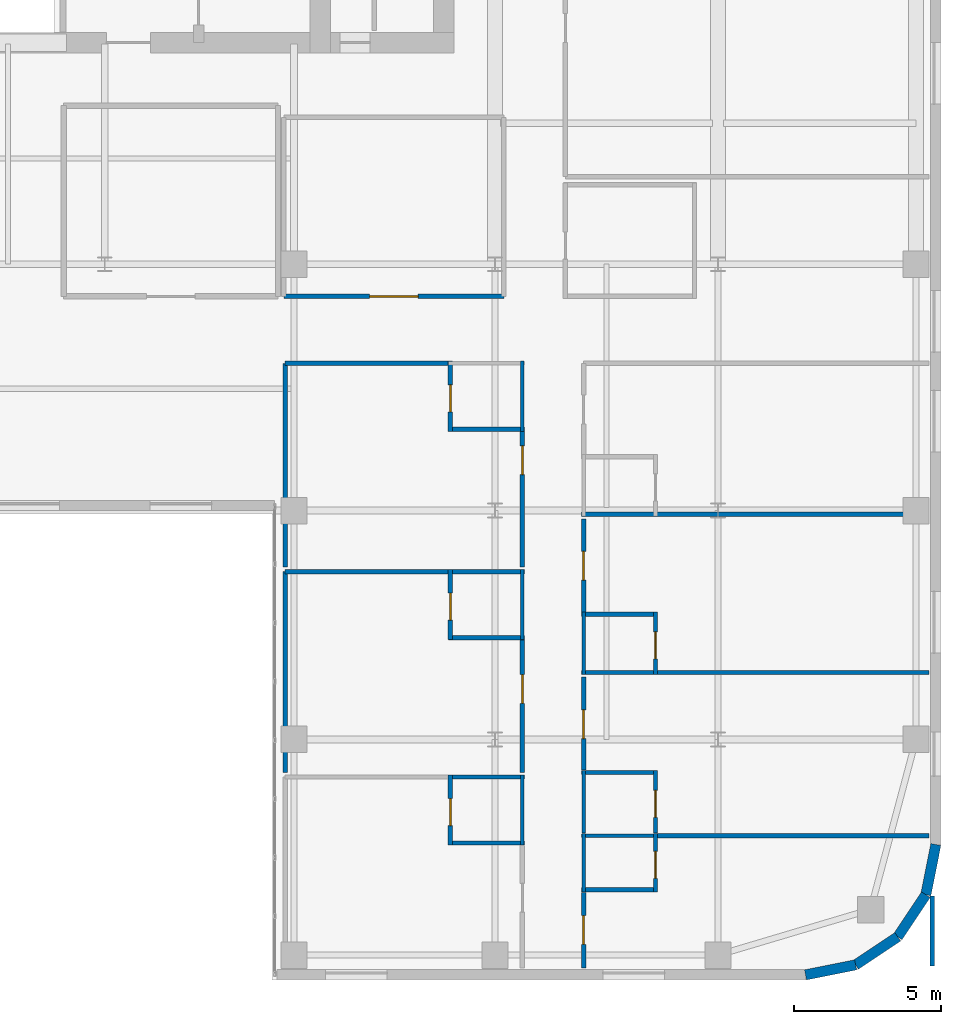
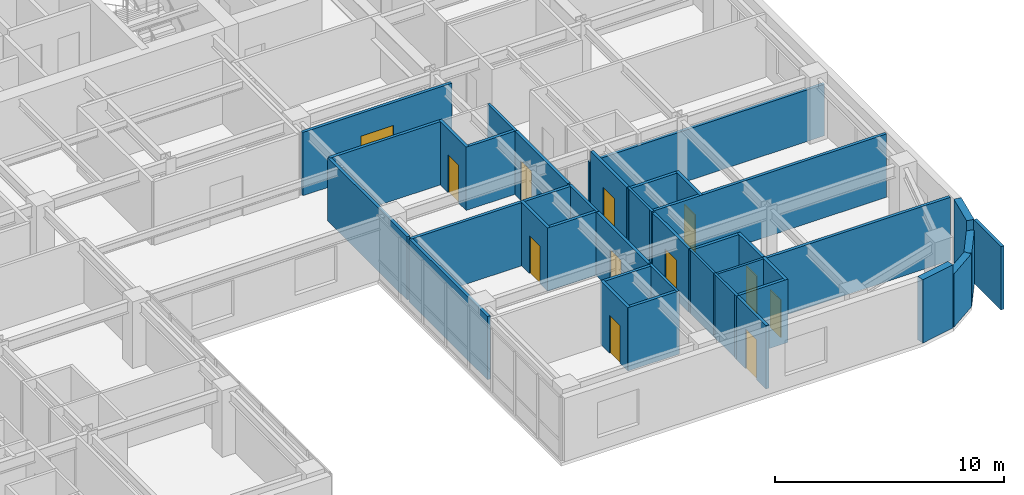
# One storey, part 12 of 17: 39 walls, 12 doors, 12 openings.
"""IFC4 building model written with IfcOpenShell, lengths in metres."""

from ifc_helpers import new_model, si_unit, direction, frame, frame_2d, origin, place, context, subcontext, project, spatial, rectangle, extrude, source, transform, mapped, material, layer, layer_set, type_object, type_shapes, element, fill, save


model = new_model("IFC4")

# Units and contexts
model_context = context("Model", 3, precision=1e-05, world=origin(), true_north=direction((0.0, 1.0)))
body_context = subcontext(model_context, "Body", "Model", "MODEL_VIEW")
ifc_project = project(units=[si_unit("LENGTHUNIT", "METRE"), si_unit("AREAUNIT", "SQUARE_METRE"), si_unit("VOLUMEUNIT", "CUBIC_METRE"), si_unit("PLANEANGLEUNIT", "RADIAN"), si_unit("MASSUNIT", "GRAM", prefix="KILO")], contexts=[model_context])

# Site, building, storey
site_placement = place(None, origin())
site = spatial("IfcSite", under=ifc_project, at=site_placement, CompositionType="ELEMENT")
building_placement = place(site_placement, origin())
building = spatial("IfcBuilding", under=site, at=building_placement, Name="Tolvann Quenvar Hotel", CompositionType="ELEMENT")
storey_placement = place(building_placement, frame((0.0, 0.0, 108.0)))
storey = spatial("IfcBuildingStorey", under=building, at=storey_placement, Name="L27", CompositionType="ELEMENT", Elevation=108.0)

# Walls
ifc_material_1 = material(Name="Kiln-fired red and buff architectural clay brickwork and terracotta masonry", Category="masonry")
ifc_layer_1 = layer(ifc_material_1, 0.35009765625)
ifc_layer_set_1 = layer_set([ifc_layer_1], Name="Kiln-fired red and buff architectural clay brickwork and terracotta masonry")
wall_type_1 = type_object("IfcWallType", Name="WALL_EXT_BRICK_350", PredefinedType="SOLIDWALL", material=ifc_layer_set_1)
wall_1_placement = place(storey_placement, frame((52.3828125, 0.175048828125, 0.0), z_axis=(0.0, 0.0, 1.0), x_axis=(0.980800971659, 0.195011420161, 0.0)))
element("IfcWall", 1, at=wall_1_placement, inside=storey, type_object=wall_type_1, Name="Exterior Chicago Brick Wall L27-E09", PredefinedType="SOLIDWALL", context=body_context, shape_type="SweptSolid", body=[
    extrude(rectangle(XDim=1.74267578125, YDim=0.35009765625, at=frame_2d((0.871337890625, 0.0))), origin(), (0.0, 0.0, 1.0), 3.3701171875),
])
for number, where, z_axis, x_axis, name in (
    (2, (54.092041015625, 0.514892578125, 0.0), (0.0, 0.0, 1.0), (0.831483840845, 0.55554893791, 0.0), "Exterior Chicago Brick Wall L27-E10"),
    (3, (55.526611328125, 1.473388671875, 0.0), (0.0, 0.0, 1.0), (0.55554893791, 0.831483840845, 0.0), "Exterior Chicago Brick Wall L27-E11"),
):
    element("IfcWall", number, at=place(storey_placement, frame(where, z_axis=z_axis, x_axis=x_axis)), inside=storey, type_object=wall_type_1, Name=name, PredefinedType="SOLIDWALL", context=body_context, shape_type="SweptSolid", body=[
        extrude(rectangle(XDim=1.725341796875, YDim=0.35009765625, at=frame_2d((0.86279296875, 0.0))), origin(), (0.0, 0.0, 1.0), 2.83203125),
    ])
wall_2_placement = place(storey_placement, frame((56.485107421875, 2.907958984375, 0.0), z_axis=(0.0, 0.0, 1.0), x_axis=(0.195011420161, 0.980800971659, 0.0)))
element("IfcWall", 4, at=wall_2_placement, inside=storey, type_object=wall_type_1, Name="Exterior Chicago Brick Wall L27-E12", PredefinedType="SOLIDWALL", context=body_context, shape_type="SweptSolid", body=[
    extrude(rectangle(XDim=1.74267578125, YDim=0.35009765625, at=frame_2d((0.871337890625, 0.0))), origin(), (0.0, 0.0, 1.0), 3.3701171875),
])
ifc_material_2 = material(Name="Moisture-resistant acoustic plumbing wall assembly")
ifc_layer_2 = layer(ifc_material_2, 0.1201171875)
ifc_layer_set_2 = layer_set([ifc_layer_2], Name="Moisture-resistant acoustic plumbing wall assembly")
wall_type_2 = type_object("IfcWallType", Name="WALL_PART_BATH_120", PredefinedType="PLUMBINGWALL", material=ifc_layer_set_2)
for number, where, z_axis, x_axis, name in (
    (5, (42.72998046875, 4.60009765625, 0.0), (0.0, 0.0, 1.0), (0.0, 1.0, 0.0), "Non-Rated Plumbing Partition PT-SPC-L27-ENS-EI01-E"),
    (6, (42.72998046875, 11.60009765625, 0.0), (0.0, 0.0, 1.0), (0.0, 1.0, 0.0), "Non-Rated Plumbing Partition PT-SPC-L27-ENS-EI02-E"),
):
    element("IfcWall", number, at=place(storey_placement, frame(where, z_axis=z_axis, x_axis=x_axis)), inside=storey, type_object=wall_type_2, Name=name, PredefinedType="PLUMBINGWALL", context=body_context, shape_type="SweptSolid", body=[
        extrude(rectangle(XDim=2.389892578125, YDim=0.1201171875, at=frame_2d((1.19482421875, 0.0))), origin(), (0.0, 0.0, 1.0), 3.3701171875),
    ])
wall_3_placement = place(storey_placement, frame((42.72998046875, 18.699951171875, 0.0), z_axis=(0.0, 0.0, 1.0), x_axis=(0.0, 1.0, 0.0)))
element("IfcWall", 7, at=wall_3_placement, inside=storey, type_object=wall_type_2, Name="Non-Rated Plumbing Partition PT-SPC-L27-ENS-EI03-E", PredefinedType="PLUMBINGWALL", context=body_context, shape_type="SweptSolid", body=[
    extrude(rectangle(XDim=2.39013671875, YDim=0.1201171875, at=frame_2d((1.195068359375, 0.0))), origin(), (0.0, 0.0, 1.0), 3.3701171875),
])
wall_4_placement = place(storey_placement, frame((44.75, 4.919921875, 0.0), z_axis=(0.0, 0.0, 1.0), x_axis=(1.0, 0.0, 0.0)))
element("IfcWall", 8, at=wall_4_placement, inside=storey, type_object=wall_type_2, Name="Non-Rated Plumbing Partition PT-SPC-L27-ENS-EO01-N", PredefinedType="PLUMBINGWALL", context=body_context, shape_type="SweptSolid", body=[
    extrude(rectangle(XDim=2.590087890625, YDim=0.1201171875, at=frame_2d((1.294921875, 0.0))), origin(), (0.0, 0.0, 1.0), 3.3701171875),
])
wall_5_placement = place(storey_placement, frame((44.820068359375, 3.0, 0.0), z_axis=(0.0, 0.0, 1.0), x_axis=(0.0, 1.0, 0.0)))
element("IfcWall", 9, at=wall_5_placement, inside=storey, type_object=wall_type_2, Name="Non-Rated Plumbing Partition PT-SPC-L27-ENS-EO01-W", PredefinedType="PLUMBINGWALL", context=body_context, shape_type="SweptSolid", body=[
    extrude(rectangle(XDim=1.989990234375, YDim=0.1201171875, at=frame_2d((0.9951171875, 0.0))), origin(), (0.0, 0.0, 1.0), 3.3701171875),
])
for number, where, z_axis, x_axis, name in (
    (10, (44.820068359375, 5.010009765625, 0.0), (0.0, 0.0, 1.0), (0.0, 1.0, 0.0), "Non-Rated Plumbing Partition PT-SPC-L27-ENS-EO02-W"),
    (11, (44.820068359375, 10.409912109375, 0.0), (0.0, 0.0, 1.0), (0.0, 1.0, 0.0), "Non-Rated Plumbing Partition PT-SPC-L27-ENS-EO03-W"),
):
    element("IfcWall", number, at=place(storey_placement, frame(where, z_axis=z_axis, x_axis=x_axis)), inside=storey, type_object=wall_type_2, Name=name, PredefinedType="PLUMBINGWALL", context=body_context, shape_type="SweptSolid", body=[
        extrude(rectangle(XDim=2.131103515625, YDim=0.1201171875, at=frame_2d((1.0654296875, 0.0))), origin(), (0.0, 0.0, 1.0), 3.3701171875),
    ])

# Wall, opening, door
ifc_material_3 = material(Name="Acoustic twin-stud fire-rated gypsum plasterboard partition")
ifc_layer_3 = layer(ifc_material_3, 0.14990234375)
ifc_layer_set_3 = layer_set([ifc_layer_3], Name="Acoustic twin-stud fire-rated gypsum plasterboard partition")
wall_type_3 = type_object("IfcWallType", Name="WALL_PART_SUITE_150", PredefinedType="PARTITIONING", material=ifc_layer_set_3)
wall_6_placement = place(storey_placement, frame((40.280029296875, 4.60009765625, 0.0), z_axis=(0.0, 0.0, 1.0), x_axis=(0.0, 1.0, 0.0)))
wall_6 = element("IfcWall", 12, at=wall_6_placement, inside=storey, type_object=wall_type_3, Name="Interior Partition PT-SPC-L27-ENS-EI01-ENT", PredefinedType="PARTITIONING", context=body_context, shape_type="SweptSolid", body=[
    extrude(rectangle(XDim=2.389892578125, YDim=0.14990234375, at=frame_2d((1.19482421875, 0.0))), origin(), (0.0, 0.0, 1.0), 3.3701171875),
])
opening_1_placement = place(wall_6_placement, frame((0.6650390625, 0.0, 0.0)))
opening_1 = element("IfcOpeningElement", 13, at=opening_1_placement, cuts=wall_6, Name="Opening WD-01", PredefinedType="OPENING", context=body_context, shape_type="SweptSolid", body=[
    extrude(rectangle(XDim=0.919921875, YDim=2.010009765625, at=frame_2d((0.4599609375, 1.0048828125))), frame((0.0, 0.0849609375, 0.0), z_axis=(0.0, -1.0, 0.0), x_axis=(1.0, 0.0, 0.0)), (0.0, 0.0, 1.0), 0.169921875),
])
ifc_material_4 = material(Name="Solid-core American oak acoustic fire door leaf in steel frame", Category="steel")
door_type_1 = type_object("IfcDoorType", Name="DOOR_WC_920", OperationType="NOTDEFINED", PredefinedType="DOOR", material=ifc_material_4)
shared_shape_1 = source(origin(), body_context, "Body", "SweptSolid", [
    extrude(rectangle(XDim=0.919921875, YDim=2.010009765625, at=frame_2d((0.4599609375, 1.0048828125))), frame((0.0, 0.02490234375, 0.0), z_axis=(0.0, -1.0, 0.0), x_axis=(1.0, 0.0, 0.0)), (0.0, 0.0, 1.0), 0.050048828125),
])
type_shapes(door_type_1, [shared_shape_1])
door_1_placement = place(opening_1_placement, origin())
door_1 = element("IfcDoor", 14, at=door_1_placement, inside=storey, type_object=door_type_1, Name="Interior Door DOOR-SPC-L27-ENS-EI01", OperationType="SINGLE_SWING_LEFT", OverallHeight=2.010009765625, OverallWidth=0.919921875, PredefinedType="DOOR", context=body_context, shape_type="MappedRepresentation", body=[
    mapped(shared_shape_1, transform((0.0, 0.0, 0.0), x_axis=(1.0, 0.0, 0.0), y_axis=(0.0, 1.0, 0.0), z_axis=(0.0, 0.0, 1.0), scale=1.0)),
])
fill(opening_1, door_1)

# Walls
for number, where, z_axis, x_axis, name in (
    (15, (40.2099609375, 4.669921875, 0.0), (0.0, 0.0, 1.0), (1.0, 0.0, 0.0), "Interior Partition PT-SPC-L27-ENS-EI01-S"),
    (16, (40.2099609375, 6.919921875, 0.0), (0.0, 0.0, 1.0), (1.0, 0.0, 0.0), "Interior Partition PT-SPC-L27-ENS-EI01-N"),
):
    element("IfcWall", number, at=place(storey_placement, frame(where, z_axis=z_axis, x_axis=x_axis)), inside=storey, type_object=wall_type_3, Name=name, PredefinedType="PARTITIONING", context=body_context, shape_type="SweptSolid", body=[
        extrude(rectangle(XDim=2.590087890625, YDim=0.14990234375, at=frame_2d((1.294921875, 0.0))), origin(), (0.0, 0.0, 1.0), 3.3701171875),
    ])

# Wall, opening, door
wall_7_placement = place(storey_placement, frame((40.280029296875, 11.60009765625, 0.0), z_axis=(0.0, 0.0, 1.0), x_axis=(0.0, 1.0, 0.0)))
wall_7 = element("IfcWall", 17, at=wall_7_placement, inside=storey, type_object=wall_type_3, Name="Interior Partition PT-SPC-L27-ENS-EI02-ENT", PredefinedType="PARTITIONING", context=body_context, shape_type="SweptSolid", body=[
    extrude(rectangle(XDim=2.389892578125, YDim=0.14990234375, at=frame_2d((1.19482421875, 0.0))), origin(), (0.0, 0.0, 1.0), 3.3701171875),
])
opening_2_placement = place(wall_7_placement, frame((0.6650390625, 0.0, 0.0)))
opening_2 = element("IfcOpeningElement", 18, at=opening_2_placement, cuts=wall_7, Name="Opening WD-01", PredefinedType="OPENING", context=body_context, shape_type="SweptSolid", body=[
    extrude(rectangle(XDim=0.919921875, YDim=2.010009765625, at=frame_2d((0.4599609375, 1.0048828125))), frame((0.0, 0.0849609375, 0.0), z_axis=(0.0, -1.0, 0.0), x_axis=(1.0, 0.0, 0.0)), (0.0, 0.0, 1.0), 0.169921875),
])
door_2_placement = place(opening_2_placement, origin())
door_2 = element("IfcDoor", 19, at=door_2_placement, inside=storey, type_object=door_type_1, Name="Interior Door DOOR-SPC-L27-ENS-EI02", OperationType="SINGLE_SWING_RIGHT", OverallHeight=2.010009765625, OverallWidth=0.919921875, PredefinedType="DOOR", context=body_context, shape_type="MappedRepresentation", body=[
    mapped(shared_shape_1, transform((0.0, 0.0, 0.0), x_axis=(1.0, 0.0, 0.0), y_axis=(0.0, 1.0, 0.0), z_axis=(0.0, 0.0, 1.0), scale=1.0)),
])
fill(opening_2, door_2)

# Walls
for number, where, z_axis, x_axis, name in (
    (20, (40.2099609375, 11.669921875, 0.0), (0.0, 0.0, 1.0), (1.0, 0.0, 0.0), "Interior Partition PT-SPC-L27-ENS-EI02-S"),
    (21, (40.2099609375, 13.919921875, 0.0), (0.0, 0.0, 1.0), (1.0, 0.0, 0.0), "Interior Partition PT-SPC-L27-ENS-EI02-N"),
):
    element("IfcWall", number, at=place(storey_placement, frame(where, z_axis=z_axis, x_axis=x_axis)), inside=storey, type_object=wall_type_3, Name=name, PredefinedType="PARTITIONING", context=body_context, shape_type="SweptSolid", body=[
        extrude(rectangle(XDim=2.590087890625, YDim=0.14990234375, at=frame_2d((1.294921875, 0.0))), origin(), (0.0, 0.0, 1.0), 3.3701171875),
    ])

# Wall, opening, door
wall_8_placement = place(storey_placement, frame((40.280029296875, 18.699951171875, 0.0), z_axis=(0.0, 0.0, 1.0), x_axis=(0.0, 1.0, 0.0)))
wall_8 = element("IfcWall", 22, at=wall_8_placement, inside=storey, type_object=wall_type_3, Name="Interior Partition PT-SPC-L27-ENS-EI03-ENT", PredefinedType="PARTITIONING", context=body_context, shape_type="SweptSolid", body=[
    extrude(rectangle(XDim=2.39013671875, YDim=0.14990234375, at=frame_2d((1.195068359375, 0.0))), origin(), (0.0, 0.0, 1.0), 3.3701171875),
])
opening_3_placement = place(wall_8_placement, frame((0.6650390625, 0.0, 0.0)))
opening_3 = element("IfcOpeningElement", 23, at=opening_3_placement, cuts=wall_8, Name="Opening WD-01", PredefinedType="OPENING", context=body_context, shape_type="SweptSolid", body=[
    extrude(rectangle(XDim=0.919921875, YDim=2.010009765625, at=frame_2d((0.4599609375, 1.0048828125))), frame((0.0, 0.0849609375, 0.0), z_axis=(0.0, -1.0, 0.0), x_axis=(1.0, 0.0, 0.0)), (0.0, 0.0, 1.0), 0.169921875),
])
door_3_placement = place(opening_3_placement, origin())
door_3 = element("IfcDoor", 24, at=door_3_placement, inside=storey, type_object=door_type_1, Name="Interior Door DOOR-SPC-L27-ENS-EI03", OperationType="SINGLE_SWING_LEFT", OverallHeight=2.010009765625, OverallWidth=0.919921875, PredefinedType="DOOR", context=body_context, shape_type="MappedRepresentation", body=[
    mapped(shared_shape_1, transform((0.0, 0.0, 0.0), x_axis=(1.0, 0.0, 0.0), y_axis=(0.0, 1.0, 0.0), z_axis=(0.0, 0.0, 1.0), scale=1.0)),
])
fill(opening_3, door_3)

# Wall
wall_9_placement = place(storey_placement, frame((40.2099609375, 18.77001953125, 0.0), z_axis=(0.0, 0.0, 1.0), x_axis=(1.0, 0.0, 0.0)))
element("IfcWall", 25, at=wall_9_placement, inside=storey, type_object=wall_type_3, Name="Interior Partition PT-SPC-L27-ENS-EI03-S", PredefinedType="PARTITIONING", context=body_context, shape_type="SweptSolid", body=[
    extrude(rectangle(XDim=2.590087890625, YDim=0.14990234375, at=frame_2d((1.294921875, 0.0))), origin(), (0.0, 0.0, 1.0), 3.3701171875),
])

# Wall, opening, door
wall_10_placement = place(storey_placement, frame((47.27001953125, 3.0, 0.0), z_axis=(0.0, 0.0, 1.0), x_axis=(0.0, 1.0, 0.0)))
wall_10 = element("IfcWall", 26, at=wall_10_placement, inside=storey, type_object=wall_type_3, Name="Interior Partition PT-SPC-L27-ENS-EO01-ENT", PredefinedType="PARTITIONING", context=body_context, shape_type="SweptSolid", body=[
    extrude(rectangle(XDim=1.989990234375, YDim=0.14990234375, at=frame_2d((0.9951171875, 0.0))), origin(), (0.0, 0.0, 1.0), 3.3701171875),
])
opening_4_placement = place(wall_10_placement, frame((0.465087890625, 0.0, 0.0)))
opening_4 = element("IfcOpeningElement", 27, at=opening_4_placement, cuts=wall_10, Name="Opening WD-01", PredefinedType="OPENING", context=body_context, shape_type="SweptSolid", body=[
    extrude(rectangle(XDim=0.919921875, YDim=2.010009765625, at=frame_2d((0.4599609375, 1.0048828125))), frame((0.0, 0.0849609375, 0.0), z_axis=(0.0, -1.0, 0.0), x_axis=(1.0, 0.0, 0.0)), (0.0, 0.0, 1.0), 0.169921875),
])
door_4_placement = place(opening_4_placement, origin())
door_4 = element("IfcDoor", 28, at=door_4_placement, inside=storey, type_object=door_type_1, Name="Interior Door DOOR-SPC-L27-ENS-EO01", OperationType="SINGLE_SWING_RIGHT", OverallHeight=2.010009765625, OverallWidth=0.919921875, PredefinedType="DOOR", context=body_context, shape_type="MappedRepresentation", body=[
    mapped(shared_shape_1, transform((0.0, 0.0, 0.0), x_axis=(1.0, 0.0, 0.0), y_axis=(0.0, 1.0, 0.0), z_axis=(0.0, 0.0, 1.0), scale=1.0)),
])
fill(opening_4, door_4)

# Wall
wall_11_placement = place(storey_placement, frame((44.75, 3.070068359375, 0.0), z_axis=(0.0, 0.0, 1.0), x_axis=(1.0, 0.0, 0.0)))
element("IfcWall", 29, at=wall_11_placement, inside=storey, type_object=wall_type_3, Name="Interior Partition PT-SPC-L27-ENS-EO01-S", PredefinedType="PARTITIONING", context=body_context, shape_type="SweptSolid", body=[
    extrude(rectangle(XDim=2.590087890625, YDim=0.14990234375, at=frame_2d((1.294921875, 0.0))), origin(), (0.0, 0.0, 1.0), 3.3701171875),
])

# Wall, opening, door
wall_12_placement = place(storey_placement, frame((47.27001953125, 5.010009765625, 0.0), z_axis=(0.0, 0.0, 1.0), x_axis=(0.0, 1.0, 0.0)))
wall_12 = element("IfcWall", 30, at=wall_12_placement, inside=storey, type_object=wall_type_3, Name="Interior Partition PT-SPC-L27-ENS-EO02-ENT", PredefinedType="PARTITIONING", context=body_context, shape_type="SweptSolid", body=[
    extrude(rectangle(XDim=2.131103515625, YDim=0.14990234375, at=frame_2d((1.0654296875, 0.0))), origin(), (0.0, 0.0, 1.0), 3.3701171875),
])
opening_5_placement = place(wall_12_placement, frame((0.535400390625, 0.0, 0.0)))
opening_5 = element("IfcOpeningElement", 31, at=opening_5_placement, cuts=wall_12, Name="Opening WD-01", PredefinedType="OPENING", context=body_context, shape_type="SweptSolid", body=[
    extrude(rectangle(XDim=0.919921875, YDim=2.010009765625, at=frame_2d((0.4599609375, 1.0048828125))), frame((0.0, 0.0849609375, 0.0), z_axis=(0.0, -1.0, 0.0), x_axis=(1.0, 0.0, 0.0)), (0.0, 0.0, 1.0), 0.169921875),
])
door_5_placement = place(opening_5_placement, origin())
door_5 = element("IfcDoor", 32, at=door_5_placement, inside=storey, type_object=door_type_1, Name="Interior Door DOOR-SPC-L27-ENS-EO02", OperationType="SINGLE_SWING_LEFT", OverallHeight=2.010009765625, OverallWidth=0.919921875, PredefinedType="DOOR", context=body_context, shape_type="MappedRepresentation", body=[
    mapped(shared_shape_1, transform((0.0, 0.0, 0.0), x_axis=(1.0, 0.0, 0.0), y_axis=(0.0, 1.0, 0.0), z_axis=(0.0, 0.0, 1.0), scale=1.0)),
])
fill(opening_5, door_5)

# Wall
wall_13_placement = place(storey_placement, frame((44.75, 7.071044921875, 0.0), z_axis=(0.0, 0.0, 1.0), x_axis=(1.0, 0.0, 0.0)))
element("IfcWall", 33, at=wall_13_placement, inside=storey, type_object=wall_type_3, Name="Interior Partition PT-SPC-L27-ENS-EO02-N", PredefinedType="PARTITIONING", context=body_context, shape_type="SweptSolid", body=[
    extrude(rectangle(XDim=2.590087890625, YDim=0.14990234375, at=frame_2d((1.294921875, 0.0))), origin(), (0.0, 0.0, 1.0), 3.3701171875),
])

# Wall, opening, door
wall_14_placement = place(storey_placement, frame((47.27001953125, 10.409912109375, 0.0), z_axis=(0.0, 0.0, 1.0), x_axis=(0.0, 1.0, 0.0)))
wall_14 = element("IfcWall", 34, at=wall_14_placement, inside=storey, type_object=wall_type_3, Name="Interior Partition PT-SPC-L27-ENS-EO03-ENT", PredefinedType="PARTITIONING", context=body_context, shape_type="SweptSolid", body=[
    extrude(rectangle(XDim=2.131103515625, YDim=0.14990234375, at=frame_2d((1.0654296875, 0.0))), origin(), (0.0, 0.0, 1.0), 3.3701171875),
])
opening_6_placement = place(wall_14_placement, frame((0.535400390625, 0.0, 0.0)))
opening_6 = element("IfcOpeningElement", 35, at=opening_6_placement, cuts=wall_14, Name="Opening WD-01", PredefinedType="OPENING", context=body_context, shape_type="SweptSolid", body=[
    extrude(rectangle(XDim=0.919921875, YDim=2.010009765625, at=frame_2d((0.4599609375, 1.0048828125))), frame((0.0, 0.0849609375, 0.0), z_axis=(0.0, -1.0, 0.0), x_axis=(1.0, 0.0, 0.0)), (0.0, 0.0, 1.0), 0.169921875),
])
door_6_placement = place(opening_6_placement, origin())
door_6 = element("IfcDoor", 36, at=door_6_placement, inside=storey, type_object=door_type_1, Name="Interior Door DOOR-SPC-L27-ENS-EO03", OperationType="SINGLE_SWING_RIGHT", OverallHeight=2.010009765625, OverallWidth=0.919921875, PredefinedType="DOOR", context=body_context, shape_type="MappedRepresentation", body=[
    mapped(shared_shape_1, transform((0.0, 0.0, 0.0), x_axis=(1.0, 0.0, 0.0), y_axis=(0.0, 1.0, 0.0), z_axis=(0.0, 0.0, 1.0), scale=1.0)),
])
fill(opening_6, door_6)

# Walls
wall_15_placement = place(storey_placement, frame((44.75, 10.47998046875, 0.0), z_axis=(0.0, 0.0, 1.0), x_axis=(1.0, 0.0, 0.0)))
element("IfcWall", 37, at=wall_15_placement, inside=storey, type_object=wall_type_3, Name="Interior Partition PT-SPC-L27-ENS-EO03-S", PredefinedType="PARTITIONING", context=body_context, shape_type="SweptSolid", body=[
    extrude(rectangle(XDim=11.844970703125, YDim=0.14990234375, at=frame_2d((5.92236328125, 0.0))), origin(), (0.0, 0.0, 1.0), 3.3701171875),
])
wall_16_placement = place(storey_placement, frame((44.75, 12.470947265625, 0.0), z_axis=(0.0, 0.0, 1.0), x_axis=(1.0, 0.0, 0.0)))
element("IfcWall", 38, at=wall_16_placement, inside=storey, type_object=wall_type_3, Name="Interior Partition PT-SPC-L27-ENS-EO03-N", PredefinedType="PARTITIONING", context=body_context, shape_type="SweptSolid", body=[
    extrude(rectangle(XDim=2.590087890625, YDim=0.14990234375, at=frame_2d((1.294921875, 0.0))), origin(), (0.0, 0.0, 1.0), 3.3701171875),
])
wall_17_placement = place(storey_placement, frame((44.75, 15.8798828125, 0.0), z_axis=(0.0, 0.0, 1.0), x_axis=(1.0, 0.0, 0.0)))
element("IfcWall", 39, at=wall_17_placement, inside=storey, type_object=wall_type_3, Name="Interior Partition PT-SPC-L27-ENS-EO04-S", PredefinedType="PARTITIONING", context=body_context, shape_type="SweptSolid", body=[
    extrude(rectangle(XDim=11.844970703125, YDim=0.14990234375, at=frame_2d((5.92236328125, 0.0))), origin(), (0.0, 0.0, 1.0), 2.748046875),
])

# Wall, opening, door
wall_18_placement = place(storey_placement, frame((42.72998046875, 7.080078125, 0.0), z_axis=(0.0, 0.0, 1.0), x_axis=(0.0, 1.0, 0.0)))
wall_18 = element("IfcWall", 40, at=wall_18_placement, inside=storey, type_object=wall_type_3, Name="Interior Partition PT-SPC-L27-RM-EI02-ENT", PredefinedType="PARTITIONING", context=body_context, shape_type="SweptSolid", body=[
    extrude(rectangle(XDim=4.510009765625, YDim=0.14990234375, at=frame_2d((2.2548828125, 0.0))), origin(), (0.0, 0.0, 1.0), 3.3701171875),
])
opening_7_placement = place(wall_18_placement, frame((2.344970703125, 0.0, 0.0)))
opening_7 = element("IfcOpeningElement", 41, at=opening_7_placement, cuts=wall_18, Name="Opening SD-01", PredefinedType="OPENING", context=body_context, shape_type="SweptSolid", body=[
    extrude(rectangle(XDim=0.97998046875, YDim=2.1201171875, at=frame_2d((0.489990234375, 1.06005859375))), frame((0.0, 0.0849609375, 0.0), z_axis=(0.0, -1.0, 0.0), x_axis=(1.0, 0.0, 0.0)), (0.0, 0.0, 1.0), 0.169921875),
])
door_type_2 = type_object("IfcDoorType", Name="DOOR_SUITE_980", OperationType="NOTDEFINED", PredefinedType="DOOR", material=ifc_material_4)
shared_shape_2 = source(origin(), body_context, "Body", "SweptSolid", [
    extrude(rectangle(XDim=0.97998046875, YDim=2.1201171875, at=frame_2d((0.489990234375, 1.06005859375))), frame((0.0, 0.02490234375, 0.0), z_axis=(0.0, -1.0, 0.0), x_axis=(1.0, 0.0, 0.0)), (0.0, 0.0, 1.0), 0.050048828125),
])
type_shapes(door_type_2, [shared_shape_2])
door_7_placement = place(opening_7_placement, origin())
door_7 = element("IfcDoor", 42, at=door_7_placement, inside=storey, type_object=door_type_2, Name="Interior Door DOOR-SPC-L27-RM-EI02", OperationType="SINGLE_SWING_RIGHT", OverallHeight=2.1201171875, OverallWidth=0.97998046875, PredefinedType="DOOR", context=body_context, shape_type="MappedRepresentation", body=[
    mapped(shared_shape_2, transform((0.0, 0.0, 0.0), x_axis=(1.0, 0.0, 0.0), y_axis=(0.0, 1.0, 0.0), z_axis=(0.0, 0.0, 1.0), scale=1.0)),
])
fill(opening_7, door_7)

# Walls
wall_19_placement = place(storey_placement, frame((34.64990234375, 13.919921875, 0.0), z_axis=(0.0, 0.0, 1.0), x_axis=(1.0, 0.0, 0.0)))
element("IfcWall", 43, at=wall_19_placement, inside=storey, type_object=wall_type_3, Name="Interior Partition PT-SPC-L27-RM-EI02-E5", PredefinedType="PARTITIONING", context=body_context, shape_type="SweptSolid", body=[
    extrude(rectangle(XDim=5.610107421875, YDim=0.14990234375, at=frame_2d((2.80517578125, 0.0))), origin(), (0.0, 0.0, 1.0), 3.3701171875),
])
wall_20_placement = place(storey_placement, frame((34.64990234375, 7.080078125, 0.0), z_axis=(0.0, 0.0, 1.0), x_axis=(0.0, 1.0, 0.0)))
element("IfcWall", 44, at=wall_20_placement, inside=storey, type_object=wall_type_3, Name="Interior Partition PT-SPC-L27-RM-EI02-E6", PredefinedType="PARTITIONING", context=body_context, shape_type="SweptSolid", body=[
    extrude(rectangle(XDim=6.83984375, YDim=0.14990234375, at=frame_2d((3.419921875, 0.0))), origin(), (0.0, 0.0, 1.0), 3.3701171875),
])

# Wall, opening, door
wall_21_placement = place(storey_placement, frame((42.72998046875, 14.080078125, 0.0), z_axis=(0.0, 0.0, 1.0), x_axis=(0.0, 1.0, 0.0)))
wall_21 = element("IfcWall", 45, at=wall_21_placement, inside=storey, type_object=wall_type_3, Name="Interior Partition PT-SPC-L27-RM-EI03-ENT", PredefinedType="PARTITIONING", context=body_context, shape_type="SweptSolid", body=[
    extrude(rectangle(XDim=4.60986328125, YDim=0.14990234375, at=frame_2d((2.304931640625, 0.0))), origin(), (0.0, 0.0, 1.0), 3.3701171875),
])
opening_8_placement = place(wall_21_placement, frame((3.14501953125, 0.0, 0.0)))
opening_8 = element("IfcOpeningElement", 46, at=opening_8_placement, cuts=wall_21, Name="Opening SD-01", PredefinedType="OPENING", context=body_context, shape_type="SweptSolid", body=[
    extrude(rectangle(XDim=0.97998046875, YDim=2.1201171875, at=frame_2d((0.489990234375, 1.06005859375))), frame((0.0, 0.0849609375, 0.0), z_axis=(0.0, -1.0, 0.0), x_axis=(1.0, 0.0, 0.0)), (0.0, 0.0, 1.0), 0.169921875),
])
door_8_placement = place(opening_8_placement, origin())
door_8 = element("IfcDoor", 47, at=door_8_placement, inside=storey, type_object=door_type_2, Name="Interior Door DOOR-SPC-L27-RM-EI03", OperationType="SINGLE_SWING_LEFT", OverallHeight=2.1201171875, OverallWidth=0.97998046875, PredefinedType="DOOR", context=body_context, shape_type="MappedRepresentation", body=[
    mapped(shared_shape_2, transform((0.0, 0.0, 0.0), x_axis=(1.0, 0.0, 0.0), y_axis=(0.0, 1.0, 0.0), z_axis=(0.0, 0.0, 1.0), scale=1.0)),
])
fill(opening_8, door_8)

# Walls
wall_22_placement = place(storey_placement, frame((34.64990234375, 21.02001953125, 0.0), z_axis=(0.0, 0.0, 1.0), x_axis=(1.0, 0.0, 0.0)))
element("IfcWall", 48, at=wall_22_placement, inside=storey, type_object=wall_type_3, Name="Interior Partition PT-SPC-L27-RM-EI03-E5", PredefinedType="PARTITIONING", context=body_context, shape_type="SweptSolid", body=[
    extrude(rectangle(XDim=5.610107421875, YDim=0.14990234375, at=frame_2d((2.80517578125, 0.0))), origin(), (0.0, 0.0, 1.0), 3.3701171875),
])
wall_23_placement = place(storey_placement, frame((34.64990234375, 14.080078125, 0.0), z_axis=(0.0, 0.0, 1.0), x_axis=(0.0, 1.0, 0.0)))
element("IfcWall", 49, at=wall_23_placement, inside=storey, type_object=wall_type_3, Name="Interior Partition PT-SPC-L27-RM-EI03-E6", PredefinedType="PARTITIONING", context=body_context, shape_type="SweptSolid", body=[
    extrude(rectangle(XDim=6.93994140625, YDim=0.14990234375, at=frame_2d((3.469970703125, 0.0))), origin(), (0.0, 0.0, 1.0), 3.3701171875),
])

# Wall, opening, door
wall_24_placement = place(storey_placement, frame((44.820068359375, 0.405029296875, 0.0), z_axis=(0.0, 0.0, 1.0), x_axis=(0.0, 1.0, 0.0)))
wall_24 = element("IfcWall", 50, at=wall_24_placement, inside=storey, type_object=wall_type_3, Name="Interior Partition PT-SPC-L27-RM-EO01-ENT", PredefinedType="PARTITIONING", context=body_context, shape_type="SweptSolid", body=[
    extrude(rectangle(XDim=2.5849609375, YDim=0.14990234375, at=frame_2d((1.29248046875, 0.0))), origin(), (0.0, 0.0, 1.0), 3.3701171875),
])
opening_9_placement = place(wall_24_placement, frame((0.81005859375, 0.0, 0.0)))
opening_9 = element("IfcOpeningElement", 51, at=opening_9_placement, cuts=wall_24, Name="Opening SD-01", PredefinedType="OPENING", context=body_context, shape_type="SweptSolid", body=[
    extrude(rectangle(XDim=0.97998046875, YDim=2.1201171875, at=frame_2d((0.489990234375, 1.06005859375))), frame((0.0, 0.0849609375, 0.0), z_axis=(0.0, -1.0, 0.0), x_axis=(1.0, 0.0, 0.0)), (0.0, 0.0, 1.0), 0.169921875),
])
door_9_placement = place(opening_9_placement, origin())
door_9 = element("IfcDoor", 52, at=door_9_placement, inside=storey, type_object=door_type_2, Name="Interior Door DOOR-SPC-L27-RM-EO01", OperationType="SINGLE_SWING_RIGHT", OverallHeight=2.1201171875, OverallWidth=0.97998046875, PredefinedType="DOOR", context=body_context, shape_type="MappedRepresentation", body=[
    mapped(shared_shape_2, transform((0.0, 0.0, 0.0), x_axis=(1.0, 0.0, 0.0), y_axis=(0.0, 1.0, 0.0), z_axis=(0.0, 0.0, 1.0), scale=1.0)),
])
fill(opening_9, door_9)

# Walls
wall_25_placement = place(storey_placement, frame((56.699951171875, 0.47998046875, 0.0), z_axis=(0.0, 0.0, 1.0), x_axis=(0.0, 1.0, 0.0)))
element("IfcWall", 53, at=wall_25_placement, inside=storey, type_object=wall_type_3, Name="Interior Partition PT-SPC-L27-RM-EO01-E2", PredefinedType="PARTITIONING", context=body_context, shape_type="SweptSolid", body=[
    extrude(rectangle(XDim=2.385009765625, YDim=0.14990234375, at=frame_2d((1.1923828125, 0.0))), origin(), (0.0, 0.0, 1.0), 3.3701171875),
])
wall_26_placement = place(storey_placement, frame((47.2900390625, 4.919921875, 0.0), z_axis=(0.0, 0.0, 1.0), x_axis=(1.0, 0.0, 0.0)))
element("IfcWall", 54, at=wall_26_placement, inside=storey, type_object=wall_type_3, Name="Interior Partition PT-SPC-L27-RM-EO01-E3", PredefinedType="PARTITIONING", context=body_context, shape_type="SweptSolid", body=[
    extrude(rectangle(XDim=9.304931640625, YDim=0.14990234375, at=frame_2d((4.65234375, 0.0))), origin(), (0.0, 0.0, 1.0), 3.3701171875),
])

# Wall, opening, door
wall_27_placement = place(storey_placement, frame((44.820068359375, 7.15087890625, 0.0), z_axis=(0.0, 0.0, 1.0), x_axis=(0.0, 1.0, 0.0)))
wall_27 = element("IfcWall", 55, at=wall_27_placement, inside=storey, type_object=wall_type_3, Name="Interior Partition PT-SPC-L27-RM-EO02-ENT", PredefinedType="PARTITIONING", context=body_context, shape_type="SweptSolid", body=[
    extrude(rectangle(XDim=3.169189453125, YDim=0.14990234375, at=frame_2d((1.58447265625, 0.0))), origin(), (0.0, 0.0, 1.0), 3.3701171875),
])
opening_10_placement = place(wall_27_placement, frame((1.074462890625, 0.0, 0.0)))
opening_10 = element("IfcOpeningElement", 56, at=opening_10_placement, cuts=wall_27, Name="Opening SD-01", PredefinedType="OPENING", context=body_context, shape_type="SweptSolid", body=[
    extrude(rectangle(XDim=0.97998046875, YDim=2.1201171875, at=frame_2d((0.489990234375, 1.06005859375))), frame((0.0, 0.0849609375, 0.0), z_axis=(0.0, -1.0, 0.0), x_axis=(1.0, 0.0, 0.0)), (0.0, 0.0, 1.0), 0.169921875),
])
door_10_placement = place(opening_10_placement, origin())
door_10 = element("IfcDoor", 57, at=door_10_placement, inside=storey, type_object=door_type_2, Name="Interior Door DOOR-SPC-L27-RM-EO02", OperationType="SINGLE_SWING_LEFT", OverallHeight=2.1201171875, OverallWidth=0.97998046875, PredefinedType="DOOR", context=body_context, shape_type="MappedRepresentation", body=[
    mapped(shared_shape_2, transform((0.0, 0.0, 0.0), x_axis=(1.0, 0.0, 0.0), y_axis=(0.0, 1.0, 0.0), z_axis=(0.0, 0.0, 1.0), scale=1.0)),
])
fill(opening_10, door_10)

wall_28_placement = place(storey_placement, frame((44.820068359375, 12.551025390625, 0.0), z_axis=(0.0, 0.0, 1.0), x_axis=(0.0, 1.0, 0.0)))
wall_28 = element("IfcWall", 58, at=wall_28_placement, inside=storey, type_object=wall_type_3, Name="Interior Partition PT-SPC-L27-RM-EO03-ENT", PredefinedType="PARTITIONING", context=body_context, shape_type="SweptSolid", body=[
    extrude(rectangle(XDim=3.1689453125, YDim=0.14990234375, at=frame_2d((1.58447265625, 0.0))), origin(), (0.0, 0.0, 1.0), 3.3701171875),
])
opening_11_placement = place(wall_28_placement, frame((1.074462890625, 0.0, 0.0)))
opening_11 = element("IfcOpeningElement", 59, at=opening_11_placement, cuts=wall_28, Name="Opening SD-01", PredefinedType="OPENING", context=body_context, shape_type="SweptSolid", body=[
    extrude(rectangle(XDim=0.97998046875, YDim=2.1201171875, at=frame_2d((0.489990234375, 1.06005859375))), frame((0.0, 0.0849609375, 0.0), z_axis=(0.0, -1.0, 0.0), x_axis=(1.0, 0.0, 0.0)), (0.0, 0.0, 1.0), 0.169921875),
])
door_11_placement = place(opening_11_placement, origin())
door_11 = element("IfcDoor", 60, at=door_11_placement, inside=storey, type_object=door_type_2, Name="Interior Door DOOR-SPC-L27-RM-EO03", OperationType="SINGLE_SWING_RIGHT", OverallHeight=2.1201171875, OverallWidth=0.97998046875, PredefinedType="DOOR", context=body_context, shape_type="MappedRepresentation", body=[
    mapped(shared_shape_2, transform((0.0, 0.0, 0.0), x_axis=(1.0, 0.0, 0.0), y_axis=(0.0, 1.0, 0.0), z_axis=(0.0, 0.0, 1.0), scale=1.0)),
])
fill(opening_11, door_11)

wall_29_placement = place(storey_placement, frame((34.60009765625, 23.300048828125, 0.0), z_axis=(0.0, 0.0, 1.0), x_axis=(1.0, 0.0, 0.0)))
wall_29 = element("IfcWall", 61, at=wall_29_placement, inside=storey, type_object=wall_type_3, Name="Interior Partition PT-SPC-L27-MSP-E-S", PredefinedType="PARTITIONING", context=body_context, shape_type="SweptSolid", body=[
    extrude(rectangle(XDim=7.5, YDim=0.14990234375, at=frame_2d((3.75, 0.0))), origin(), (0.0, 0.0, 1.0), 3.3701171875),
])
opening_12_placement = place(wall_29_placement, frame((2.925048828125, 0.0, 0.0)))
opening_12 = element("IfcOpeningElement", 62, at=opening_12_placement, cuts=wall_29, Name="Opening AD-01", PredefinedType="OPENING", context=body_context, shape_type="SweptSolid", body=[
    extrude(rectangle(XDim=1.64990234375, YDim=2.14990234375, at=frame_2d((0.824951171875, 1.074951171875))), frame((0.0, 0.0849609375, 0.0), z_axis=(0.0, -1.0, 0.0), x_axis=(1.0, 0.0, 0.0)), (0.0, 0.0, 1.0), 0.169921875),
])
door_type_3 = type_object("IfcDoorType", Name="DOOR_SALON_1650", OperationType="NOTDEFINED", PredefinedType="DOOR", material=ifc_material_4)
shared_shape_3 = source(origin(), body_context, "Body", "SweptSolid", [
    extrude(rectangle(XDim=1.64990234375, YDim=2.14990234375, at=frame_2d((0.824951171875, 1.074951171875))), frame((0.0, 0.02490234375, 0.0), z_axis=(0.0, -1.0, 0.0), x_axis=(1.0, 0.0, 0.0)), (0.0, 0.0, 1.0), 0.050048828125),
])
type_shapes(door_type_3, [shared_shape_3])
door_12_placement = place(opening_12_placement, origin())
door_12 = element("IfcDoor", 63, at=door_12_placement, inside=storey, type_object=door_type_3, Name="Interior Door DOOR-SPC-L27-MSP-E", OperationType="DOUBLE_DOOR_SINGLE_SWING", OverallHeight=2.14990234375, OverallWidth=1.64990234375, PredefinedType="DOOR", context=body_context, shape_type="MappedRepresentation", body=[
    mapped(shared_shape_3, transform((0.0, 0.0, 0.0), x_axis=(1.0, 0.0, 0.0), y_axis=(0.0, 1.0, 0.0), z_axis=(0.0, 0.0, 1.0), scale=1.0)),
])
fill(opening_12, door_12)

save(model, "model.ifc")
